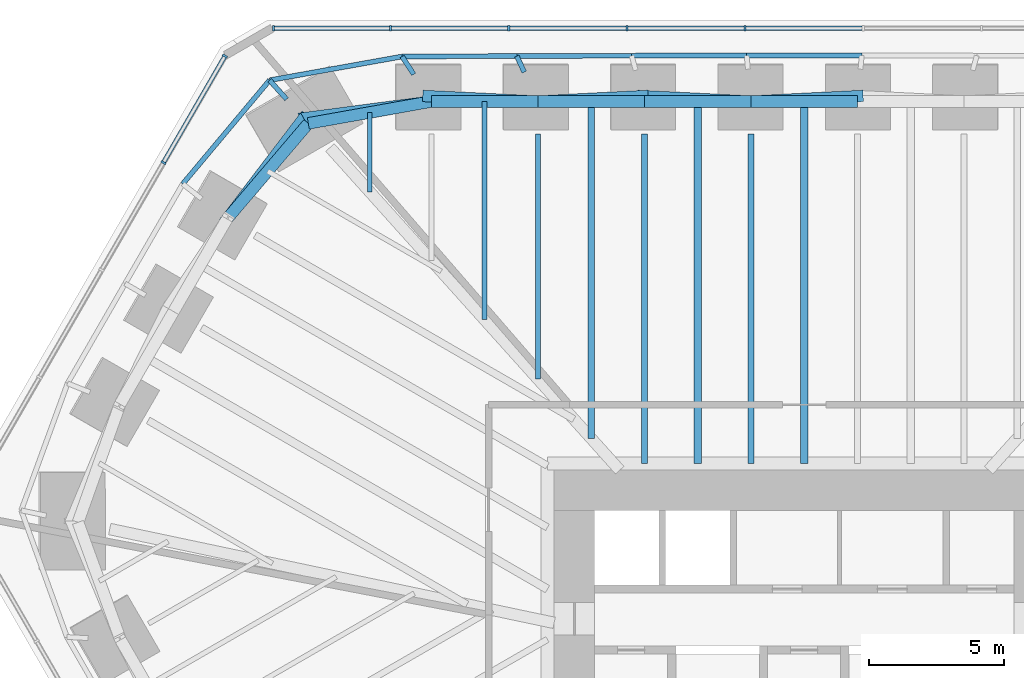
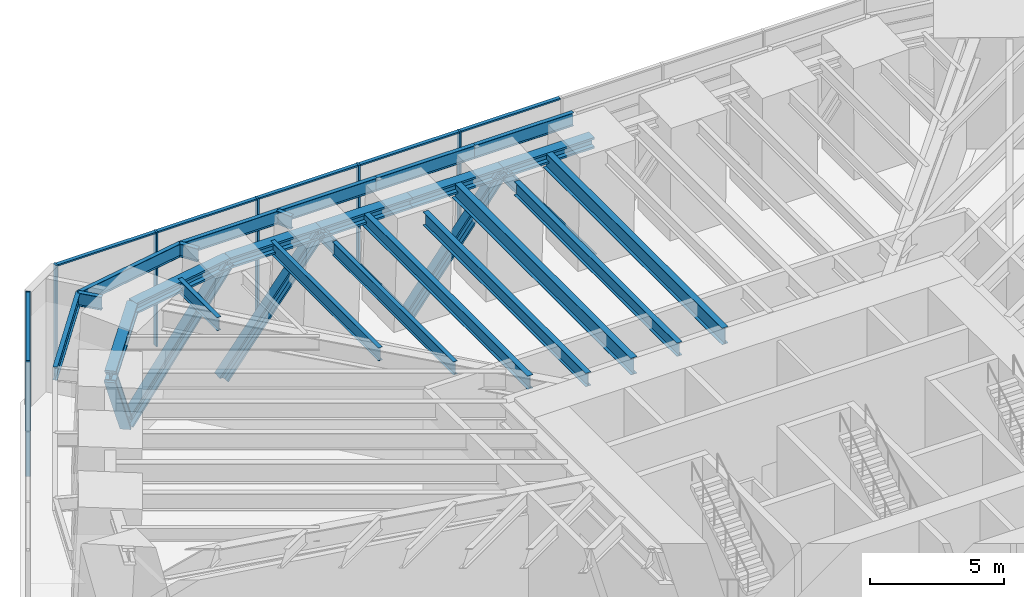
# One storey, part 7 of 13: 23 beams, 19 members, 2 elements without a shape of their own.
"""IFC4 building model written with IfcOpenShell, lengths in metres."""

from ifc_helpers import new_model, si_unit, direction, frame, origin, origin_2d, place, context, subcontext, project, spatial, rectangle, i_section, extrude, material, material_profile, profile_set, type_object, element, aggregate, save


model = new_model("IFC4")

# Units and contexts
model_context = context("Model", 3, precision=1e-05, world=origin(), true_north=direction((0.0, 1.0)))
body_context = subcontext(model_context, "Body", "Model", "MODEL_VIEW")
ifc_project = project(units=[si_unit("LENGTHUNIT", "METRE"), si_unit("AREAUNIT", "SQUARE_METRE"), si_unit("VOLUMEUNIT", "CUBIC_METRE"), si_unit("PLANEANGLEUNIT", "RADIAN"), si_unit("MASSUNIT", "GRAM", prefix="KILO")], contexts=[model_context])

# Site, building, storey
site_placement = place(None, origin())
site = spatial("IfcSite", under=ifc_project, at=site_placement, CompositionType="ELEMENT")
building_placement = place(site_placement, origin())
building = spatial("IfcBuilding", under=site, at=building_placement, Name="Sandreach Pilgrim Tower", CompositionType="ELEMENT")
storey_placement = place(building_placement, frame((0.0, 0.0, 91.39990234375)))
storey = spatial("IfcBuildingStorey", under=building, at=storey_placement, Name="L22", CompositionType="ELEMENT", Elevation=91.39990234375)

# Beams
ifc_material_1 = material(Name="Steel ASTM A913 Grade 65", Category="steel")
ifc_material_profile_1 = material_profile(ifc_material_1, i_section(OverallWidth=0.431884765625, OverallDepth=0.497802734375, WebThickness=0.0556640625, FlangeThickness=0.0888671875, at=origin_2d()), Name="W14X500")
ifc_profile_set_1 = profile_set([ifc_material_profile_1], Name="Steel ASTM A913 Grade 65")
beam_type_1 = type_object("IfcBeamType", Name="Belt truss chord W14X500", PredefinedType="BEAM", material=ifc_profile_set_1)
for number, where, z_axis, x_axis, name in (
    (1, (-13.789794921875, 21.23388671875, 4.9912109375), (1.0, 0.0, 0.0), (0.0, 1.0, 0.0), "BM L22 BTT01"),
    (2, (-9.849853515625, 21.23388671875, 4.9912109375), (1.0, 0.0, 0.0), (0.0, 1.0, 0.0), "BM L22 BTT02"),
    (3, (-5.909912109375, 21.23388671875, 4.9912109375), (1.0, 0.0, 0.0), (0.0, 1.0, 0.0), "BM L22 BTT03"),
    (4, (-1.969970703125, 21.23388671875, 4.9912109375), (1.0, 0.0, 0.0), (0.0, 1.0, 0.0), "BM L22 BTT04"),
):
    element("IfcBeam", number, at=place(storey_placement, frame(where, z_axis=z_axis, x_axis=x_axis)), inside=storey, type_object=beam_type_1, Name=name, PredefinedType="BEAM", context=body_context, shape_type="SweptSolid", body=[
        extrude(i_section(OverallWidth=0.431884765625, OverallDepth=0.497802734375, WebThickness=0.0556640625, FlangeThickness=0.0888671875, at=origin_2d()), origin(), (0.0, 0.0, 1.0), 3.93994140625),
    ])
beam_1_placement = place(storey_placement, frame((-21.346435546875, 16.891357421875, 4.9912109375), z_axis=(0.648208888384, 0.761462564425, 0.0), x_axis=(-0.761462564425, 0.648208888384, 0.0)))
element("IfcBeam", 5, at=beam_1_placement, inside=storey, type_object=beam_type_1, Name="BM L22 BTT38", PredefinedType="BEAM", context=body_context, shape_type="SweptSolid", body=[
    extrude(i_section(OverallWidth=0.431884765625, OverallDepth=0.497802734375, WebThickness=0.0556640625, FlangeThickness=0.0888671875, at=origin_2d()), origin(), (0.0, 0.0, 1.0), 4.63916015625),
])
beam_2_placement = place(storey_placement, frame((-18.33935546875, 20.423828125, 4.9912109375), z_axis=(0.984515938739, 0.175295083699, 0.0), x_axis=(-0.175295083699, 0.984515938739, 0.0)))
element("IfcBeam", 6, at=beam_2_placement, inside=storey, type_object=beam_type_1, Name="BM L22 BTT39", PredefinedType="BEAM", context=body_context, shape_type="SweptSolid", body=[
    extrude(i_section(OverallWidth=0.431884765625, OverallDepth=0.497802734375, WebThickness=0.0556640625, FlangeThickness=0.0888671875, at=origin_2d()), origin(), (0.0, 0.0, 1.0), 4.62109375),
])

# Members
ifc_material_2 = material(Name="Steel ASTM A913 Grade 65", Category="steel")
ifc_material_profile_2 = material_profile(ifc_material_2, i_section(OverallWidth=0.424072265625, OverallDepth=0.47509765625, WebThickness=0.0478515625, FlangeThickness=0.0771484375, at=origin_2d()), Name="W14X426")
ifc_profile_set_2 = profile_set([ifc_material_profile_2], Name="Steel ASTM A913 Grade 65")
member_type_1 = type_object("IfcMemberType", Name="Belt truss diagonal W14X426", PredefinedType="BRACE", material=ifc_profile_set_2)
member_1_placement = place(storey_placement, frame((-13.918701171875, 21.43212890625, -0.408935546875), z_axis=(0.601513654062, -0.029306917503, 0.798324763842), x_axis=(0.048664222861, 0.998815194825, 0.0)))
element("IfcMember", 7, at=member_1_placement, inside=storey, type_object=member_type_1, Name="Belt truss diagonal L22 bay 01", PredefinedType="BRACE", context=body_context, shape_type="SweptSolid", body=[
    extrude(i_section(OverallWidth=0.424072265625, OverallDepth=0.47509765625, WebThickness=0.0478515625, FlangeThickness=0.0771484375, at=origin_2d()), origin(), (0.0, 0.0, 1.0), 6.764404296875),
])
member_2_placement = place(storey_placement, frame((-9.849853515625, 21.23388671875, 4.9912109375), z_axis=(0.583714893497, 0.029787361332, -0.811412124765), x_axis=(-0.050964352945, 0.998700472979, 0.0)))
element("IfcMember", 8, at=member_2_placement, inside=storey, type_object=member_type_1, Name="Belt truss diagonal L22 bay 02", PredefinedType="BRACE", context=body_context, shape_type="SweptSolid", body=[
    extrude(i_section(OverallWidth=0.424072265625, OverallDepth=0.47509765625, WebThickness=0.0478515625, FlangeThickness=0.0771484375, at=origin_2d()), origin(), (0.0, 0.0, 1.0), 6.6552734375),
])
member_3_placement = place(storey_placement, frame((-5.965087890625, 21.43212890625, -0.408935546875), z_axis=(0.594488821574, -0.029499200875, 0.803562591322), x_axis=(0.049560142177, 0.998771141107, 0.0)))
element("IfcMember", 9, at=member_3_placement, inside=storey, type_object=member_type_1, Name="Belt truss diagonal L22 bay 03", PredefinedType="BRACE", context=body_context, shape_type="SweptSolid", body=[
    extrude(i_section(OverallWidth=0.424072265625, OverallDepth=0.47509765625, WebThickness=0.0478515625, FlangeThickness=0.0771484375, at=origin_2d()), origin(), (0.0, 0.0, 1.0), 6.72021484375),
])
member_4_placement = place(storey_placement, frame((-1.969970703125, 21.23388671875, 4.9912109375), z_axis=(0.5909244765, 0.029595428047, -0.806183833695), x_axis=(-0.050020571665, 0.998748187688, 0.0)))
element("IfcMember", 10, at=member_4_placement, inside=storey, type_object=member_type_1, Name="Belt truss diagonal L22 bay 04", PredefinedType="BRACE", context=body_context, shape_type="SweptSolid", body=[
    extrude(i_section(OverallWidth=0.424072265625, OverallDepth=0.47509765625, WebThickness=0.0478515625, FlangeThickness=0.0771484375, at=origin_2d()), origin(), (0.0, 0.0, 1.0), 6.698486328125),
])
member_5_placement = place(storey_placement, frame((-21.346435546875, 16.891357421875, 4.9912109375), z_axis=(0.39660330267, 0.521231509073, -0.755660991623), x_axis=(-0.79581831179, 0.605535477589, 0.0)))
element("IfcMember", 11, at=member_5_placement, inside=storey, type_object=member_type_1, Name="Belt truss diagonal L22 bay 38", PredefinedType="BRACE", context=body_context, shape_type="SweptSolid", body=[
    extrude(i_section(OverallWidth=0.424072265625, OverallDepth=0.47509765625, WebThickness=0.0478515625, FlangeThickness=0.0771484375, at=origin_2d()), origin(), (0.0, 0.0, 1.0), 7.146240234375),
])
member_6_placement = place(storey_placement, frame((-18.51220703125, 20.6162109375, -0.408935546875), z_axis=(0.655863486862, 0.08578476047, 0.749989374239), x_axis=(-0.129692004754, 0.991554327257, 0.0)))
element("IfcMember", 12, at=member_6_placement, inside=storey, type_object=member_type_1, Name="Belt truss diagonal L22 bay 39", PredefinedType="BRACE", context=body_context, shape_type="SweptSolid", body=[
    extrude(i_section(OverallWidth=0.424072265625, OverallDepth=0.47509765625, WebThickness=0.0478515625, FlangeThickness=0.0771484375, at=origin_2d()), origin(), (0.0, 0.0, 1.0), 7.2001953125),
])

# Curtain wall, members
ifc_material_3 = material(Name="Aluminium framed curtain wall", Category="aluminium")
curtain_wall_type = type_object("IfcCurtainWallType", Name="Plant storey louvred curtain wall", PredefinedType="NOTDEFINED", material=ifc_material_3)
curtain_wall_1_placement = place(storey_placement, origin())
curtain_wall_1 = element("IfcCurtainWall", 13, at=curtain_wall_1_placement, inside=storey, type_object=curtain_wall_type, Name="CW-L L22 N", PredefinedType="NOTDEFINED")
ifc_material_4 = material(Name="Aluminium extrusion", Category="aluminium")
ifc_material_profile_3 = material_profile(ifc_material_4, rectangle(XDim=0.080078125, YDim=0.199951171875, at=origin_2d()), Name="CW-LM 80X200")
ifc_profile_set_3 = profile_set([ifc_material_profile_3], Name="Aluminium extrusion")
member_type_2 = type_object("IfcMemberType", Name="CW-L mullion", PredefinedType="MULLION", material=ifc_profile_set_3)
member_7_placement = place(storey_placement, frame((-19.632080078125, 23.94873046875, 0.0), z_axis=(0.0, 0.0, 1.0), x_axis=(1.0, 0.0, 0.0)))
member_7 = element("IfcMember", 14, at=member_7_placement, type_object=member_type_2, Name="CW-L mullion 1", PredefinedType="MULLION", context=body_context, shape_type="SweptSolid", body=[
    extrude(rectangle(XDim=0.080078125, YDim=0.199951171875, at=origin_2d()), origin(), (0.0, 0.0, 1.0), 5.239990234375),
])
member_8_placement = place(storey_placement, frame((-15.300537109375, 23.94873046875, 0.0), z_axis=(0.0, 0.0, 1.0), x_axis=(1.0, 0.0, 0.0)))
member_8 = element("IfcMember", 15, at=member_8_placement, type_object=member_type_2, Name="CW-L mullion 2", PredefinedType="MULLION", context=body_context, shape_type="SweptSolid", body=[
    extrude(rectangle(XDim=0.080078125, YDim=0.199951171875, at=origin_2d()), origin(), (0.0, 0.0, 1.0), 5.239990234375),
])
member_9_placement = place(storey_placement, frame((-10.928955078125, 23.94873046875, 0.0), z_axis=(0.0, 0.0, 1.0), x_axis=(1.0, 0.0, 0.0)))
member_9 = element("IfcMember", 16, at=member_9_placement, type_object=member_type_2, Name="CW-L mullion 3", PredefinedType="MULLION", context=body_context, shape_type="SweptSolid", body=[
    extrude(rectangle(XDim=0.080078125, YDim=0.199951171875, at=origin_2d()), origin(), (0.0, 0.0, 1.0), 5.239990234375),
])
member_10_placement = place(storey_placement, frame((-6.557373046875, 23.94873046875, 0.0), z_axis=(0.0, 0.0, 1.0), x_axis=(1.0, 0.0, 0.0)))
member_10 = element("IfcMember", 17, at=member_10_placement, type_object=member_type_2, Name="CW-L mullion 4", PredefinedType="MULLION", context=body_context, shape_type="SweptSolid", body=[
    extrude(rectangle(XDim=0.080078125, YDim=0.199951171875, at=origin_2d()), origin(), (0.0, 0.0, 1.0), 5.239990234375),
])
member_11_placement = place(storey_placement, frame((-2.185791015625, 23.94873046875, 0.0), z_axis=(0.0, 0.0, 1.0), x_axis=(1.0, 0.0, 0.0)))
member_11 = element("IfcMember", 18, at=member_11_placement, type_object=member_type_2, Name="CW-L mullion 5", PredefinedType="MULLION", context=body_context, shape_type="SweptSolid", body=[
    extrude(rectangle(XDim=0.080078125, YDim=0.199951171875, at=origin_2d()), origin(), (0.0, 0.0, 1.0), 5.239990234375),
])

curtain_wall_2_placement = place(storey_placement, origin())
curtain_wall_2 = element("IfcCurtainWall", 19, at=curtain_wall_2_placement, inside=storey, type_object=curtain_wall_type, Name="CW-L L22 NW", PredefinedType="NOTDEFINED")
member_12_placement = place(storey_placement, frame((-23.697265625, 18.97705078125, 0.0), z_axis=(0.0, 0.0, 1.0), x_axis=(0.5, 0.866025403784, 0.0)))
member_12 = element("IfcMember", 20, at=member_12_placement, type_object=member_type_2, Name="CW-L mullion 4", PredefinedType="MULLION", context=body_context, shape_type="SweptSolid", body=[
    extrude(rectangle(XDim=0.080078125, YDim=0.199951171875, at=origin_2d()), origin(), (0.0, 0.0, 1.0), 5.239990234375),
])
member_13_placement = place(storey_placement, frame((-21.424072265625, 22.9140625, 0.0), z_axis=(0.0, 0.0, 1.0), x_axis=(0.5, 0.866025403784, 0.0)))
member_13 = element("IfcMember", 21, at=member_13_placement, type_object=member_type_2, Name="CW-L mullion 5", PredefinedType="MULLION", context=body_context, shape_type="SweptSolid", body=[
    extrude(rectangle(XDim=0.080078125, YDim=0.199951171875, at=origin_2d()), origin(), (0.0, 0.0, 1.0), 5.239990234375),
])

# Member
ifc_material_5 = material(Name="Aluminium extrusion", Category="aluminium")
ifc_material_profile_4 = material_profile(ifc_material_5, rectangle(XDim=0.159912109375, YDim=0.070068359375, at=origin_2d()), Name="CW-LT 160X70")
ifc_profile_set_4 = profile_set([ifc_material_profile_4], Name="Aluminium extrusion")
member_type_3 = type_object("IfcMemberType", Name="CW-L transom", PredefinedType="USERDEFINED", material=ifc_profile_set_4)
member_14_placement = place(storey_placement, frame((-19.592041015625, 23.94873046875, 5.205078125), z_axis=(1.0, 0.0, 0.0), x_axis=(0.0, 1.0, 0.0)))
member_14 = element("IfcMember", 22, at=member_14_placement, type_object=member_type_3, Name="CW-L head transom 1", ObjectType="TRANSOM", PredefinedType="USERDEFINED", context=body_context, shape_type="SweptSolid", body=[
    extrude(rectangle(XDim=0.159912109375, YDim=0.070068359375, at=origin_2d()), origin(), (0.0, 0.0, 1.0), 4.25146484375),
])

member_15_placement = place(storey_placement, frame((-15.260498046875, 23.94873046875, 5.205078125), z_axis=(1.0, 0.0, 0.0), x_axis=(0.0, 1.0, 0.0)))
member_15 = element("IfcMember", 23, at=member_15_placement, type_object=member_type_3, Name="CW-L head transom 2", ObjectType="TRANSOM", PredefinedType="USERDEFINED", context=body_context, shape_type="SweptSolid", body=[
    extrude(rectangle(XDim=0.159912109375, YDim=0.070068359375, at=origin_2d()), origin(), (0.0, 0.0, 1.0), 4.29150390625),
])

member_16_placement = place(storey_placement, frame((-10.888916015625, 23.94873046875, 5.205078125), z_axis=(1.0, 0.0, 0.0), x_axis=(0.0, 1.0, 0.0)))
member_16 = element("IfcMember", 24, at=member_16_placement, type_object=member_type_3, Name="CW-L head transom 3", ObjectType="TRANSOM", PredefinedType="USERDEFINED", context=body_context, shape_type="SweptSolid", body=[
    extrude(rectangle(XDim=0.159912109375, YDim=0.070068359375, at=origin_2d()), origin(), (0.0, 0.0, 1.0), 4.29150390625),
])

member_17_placement = place(storey_placement, frame((-6.517333984375, 23.94873046875, 5.205078125), z_axis=(1.0, 0.0, 0.0), x_axis=(0.0, 1.0, 0.0)))
member_17 = element("IfcMember", 25, at=member_17_placement, type_object=member_type_3, Name="CW-L head transom 4", ObjectType="TRANSOM", PredefinedType="USERDEFINED", context=body_context, shape_type="SweptSolid", body=[
    extrude(rectangle(XDim=0.159912109375, YDim=0.070068359375, at=origin_2d()), origin(), (0.0, 0.0, 1.0), 4.29150390625),
])

member_18_placement = place(storey_placement, frame((-2.145751953125, 23.94873046875, 5.205078125), z_axis=(1.0, 0.0, 0.0), x_axis=(0.0, 1.0, 0.0)))
member_18 = element("IfcMember", 26, at=member_18_placement, type_object=member_type_3, Name="CW-L head transom 5", ObjectType="TRANSOM", PredefinedType="USERDEFINED", context=body_context, shape_type="SweptSolid", body=[
    extrude(rectangle(XDim=0.159912109375, YDim=0.070068359375, at=origin_2d()), origin(), (0.0, 0.0, 1.0), 4.29150390625),
])

aggregate(curtain_wall_1, [member_7, member_8, member_9, member_10, member_11, member_14, member_15, member_16, member_17, member_18])

member_19_placement = place(storey_placement, frame((-23.67724609375, 19.01171875, 5.205078125), z_axis=(0.500025297701, 0.866010797658, 0.0), x_axis=(-0.866010797658, 0.500025297701, 0.0)))
member_19 = element("IfcMember", 27, at=member_19_placement, type_object=member_type_3, Name="CW-L head transom 4", ObjectType="TRANSOM", PredefinedType="USERDEFINED", context=body_context, shape_type="SweptSolid", body=[
    extrude(rectangle(XDim=0.159912109375, YDim=0.070068359375, at=origin_2d()), origin(), (0.0, 0.0, 1.0), 4.466064453125),
])

aggregate(curtain_wall_2, [member_12, member_13, member_19])

# Beams
ifc_material_6 = material(Name="Steel ASTM A992 Grade 50", Category="steel")
ifc_material_profile_5 = material_profile(ifc_material_6, i_section(OverallWidth=0.1787109375, OverallDepth=0.60205078125, WebThickness=0.010986328125, FlangeThickness=0.014892578125, at=origin_2d()), Name="W24X62")
ifc_profile_set_5 = profile_set([ifc_material_profile_5], Name="Steel ASTM A992 Grade 50")
beam_type_2 = type_object("IfcBeamType", Name="Floor beam W24X62", PredefinedType="BEAM", material=ifc_profile_set_5)
beam_3_placement = place(storey_placement, frame((-9.849853515625, 20.03369140625, 4.939208984375), z_axis=(0.0, -1.0, 0.0), x_axis=(1.0, 0.0, 0.0)))
element("IfcBeam", 28, at=beam_3_placement, inside=storey, type_object=beam_type_2, Name="BM L22 F02", PredefinedType="BEAM", context=body_context, shape_type="SweptSolid", body=[
    extrude(i_section(OverallWidth=0.1787109375, OverallDepth=0.60205078125, WebThickness=0.010986328125, FlangeThickness=0.014892578125, at=origin_2d()), origin(), (0.0, 0.0, 1.0), 9.064208984375),
])
beam_4_placement = place(storey_placement, frame((-11.81982421875, 21.23388671875, 4.939208984375), z_axis=(0.0, -1.0, 0.0), x_axis=(1.0, 0.0, 0.0)))
element("IfcBeam", 29, at=beam_4_placement, inside=storey, type_object=beam_type_2, Name="BM L22 FM01", PredefinedType="BEAM", context=body_context, shape_type="SweptSolid", body=[
    extrude(i_section(OverallWidth=0.1787109375, OverallDepth=0.60205078125, WebThickness=0.010986328125, FlangeThickness=0.014892578125, at=origin_2d()), origin(), (0.0, 0.0, 1.0), 8.070556640625),
])
beam_5_placement = place(storey_placement, frame((-16.064697265625, 20.828857421875, 4.939208984375), z_axis=(0.0, -1.0, 0.0), x_axis=(1.0, 0.0, 0.0)))
element("IfcBeam", 30, at=beam_5_placement, inside=storey, type_object=beam_type_2, Name="BM L22 FM39", PredefinedType="BEAM", context=body_context, shape_type="SweptSolid", body=[
    extrude(i_section(OverallWidth=0.1787109375, OverallDepth=0.60205078125, WebThickness=0.010986328125, FlangeThickness=0.014892578125, at=origin_2d()), origin(), (0.0, 0.0, 1.0), 2.938232421875),
])
ifc_material_7 = material(Name="Steel ASTM A992 Grade 50", Category="steel")
ifc_material_profile_6 = material_profile(ifc_material_7, i_section(OverallWidth=0.23046875, OverallDepth=0.6171875, WebThickness=0.01318359375, FlangeThickness=0.022216796875, at=origin_2d()), Name="W24X94")
ifc_profile_set_6 = profile_set([ifc_material_profile_6], Name="Steel ASTM A992 Grade 50")
beam_type_3 = type_object("IfcBeamType", Name="Floor beam W24X94", PredefinedType="BEAM", material=ifc_profile_set_6)
for number, where, z_axis, x_axis, name in (
    (31, (-5.909912109375, 20.03369140625, 4.931396484375), (0.0, -1.0, 0.0), (1.0, 0.0, 0.0), "BM L22 F03"),
    (32, (-1.969970703125, 20.03369140625, 4.931396484375), (0.0, -1.0, 0.0), (1.0, 0.0, 0.0), "BM L22 F04"),
):
    element("IfcBeam", number, at=place(storey_placement, frame(where, z_axis=z_axis, x_axis=x_axis)), inside=storey, type_object=beam_type_3, Name=name, PredefinedType="BEAM", context=body_context, shape_type="SweptSolid", body=[
        extrude(i_section(OverallWidth=0.23046875, OverallDepth=0.6171875, WebThickness=0.01318359375, FlangeThickness=0.022216796875, at=origin_2d()), origin(), (0.0, 0.0, 1.0), 12.1875),
    ])
beam_6_placement = place(storey_placement, frame((-7.8798828125, 21.23388671875, 4.931396484375), z_axis=(0.0, -1.0, 0.0), x_axis=(1.0, 0.0, 0.0)))
element("IfcBeam", 33, at=beam_6_placement, inside=storey, type_object=beam_type_3, Name="BM L22 FM02", PredefinedType="BEAM", context=body_context, shape_type="SweptSolid", body=[
    extrude(i_section(OverallWidth=0.23046875, OverallDepth=0.6171875, WebThickness=0.01318359375, FlangeThickness=0.022216796875, at=origin_2d()), origin(), (0.0, 0.0, 1.0), 12.458251953125),
])
ifc_material_8 = material(Name="Steel ASTM A992 Grade 50", Category="steel")
ifc_material_profile_7 = material_profile(ifc_material_8, i_section(OverallWidth=0.2666015625, OverallDepth=0.761962890625, WebThickness=0.014404296875, FlangeThickness=0.021484375, at=origin_2d()), Name="W30X116")
ifc_profile_set_7 = profile_set([ifc_material_profile_7], Name="Steel ASTM A992 Grade 50")
beam_type_4 = type_object("IfcBeamType", Name="Floor beam W30X116", PredefinedType="BEAM", material=ifc_profile_set_7)
for number, where, z_axis, x_axis, name in (
    (34, (-3.93994140625, 21.23388671875, 4.859130859375), (0.0, -1.0, 0.0), (1.0, 0.0, 0.0), "BM L22 FM03"),
    (35, (0.0, 21.23388671875, 4.859130859375), (0.0, -1.0, 0.0), (1.0, 0.0, 0.0), "BM L22 FM04"),
):
    element("IfcBeam", number, at=place(storey_placement, frame(where, z_axis=z_axis, x_axis=x_axis)), inside=storey, type_object=beam_type_4, Name=name, PredefinedType="BEAM", context=body_context, shape_type="SweptSolid", body=[
        extrude(i_section(OverallWidth=0.2666015625, OverallDepth=0.761962890625, WebThickness=0.014404296875, FlangeThickness=0.021484375, at=origin_2d()), origin(), (0.0, 0.0, 1.0), 13.3876953125),
    ])
ifc_material_9 = material(Name="Steel ASTM A992 Grade 50", Category="steel")
ifc_material_profile_8 = material_profile(ifc_material_9, i_section(OverallWidth=0.1787109375, OverallDepth=0.60205078125, WebThickness=0.010986328125, FlangeThickness=0.014892578125, at=origin_2d()), Name="W24X62")
ifc_profile_set_8 = profile_set([ifc_material_profile_8], Name="Steel ASTM A992 Grade 50")
beam_type_5 = type_object("IfcBeamType", Name="Setback roof edge beam W24X62", PredefinedType="BEAM", material=ifc_profile_set_8)
beam_7_placement = place(storey_placement, frame((-14.870849609375, 22.8984375, 4.899169921875), z_axis=(0.999991880839, 0.004029671962, 0.0), x_axis=(-0.004029671962, 0.999991880839, 0.0)))
element("IfcBeam", 36, at=beam_7_placement, inside=storey, type_object=beam_type_5, Name="BM L22 RE01", PredefinedType="BEAM", context=body_context, shape_type="SweptSolid", body=[
    extrude(i_section(OverallWidth=0.1787109375, OverallDepth=0.60205078125, WebThickness=0.010986328125, FlangeThickness=0.014892578125, at=origin_2d()), origin(), (0.0, 0.0, 1.0), 4.240966796875),
])
beam_8_placement = place(storey_placement, frame((-10.6298828125, 22.91552734375, 4.899169921875), z_axis=(0.999994634407, 0.003275844492, 0.0), x_axis=(-0.003275844492, 0.999994634407, 0.0)))
element("IfcBeam", 37, at=beam_8_placement, inside=storey, type_object=beam_type_5, Name="BM L22 RE02", PredefinedType="BEAM", context=body_context, shape_type="SweptSolid", body=[
    extrude(i_section(OverallWidth=0.1787109375, OverallDepth=0.60205078125, WebThickness=0.010986328125, FlangeThickness=0.014892578125, at=origin_2d()), origin(), (0.0, 0.0, 1.0), 4.248046875),
])
beam_9_placement = place(storey_placement, frame((-6.3818359375, 22.929443359375, 4.899169921875), z_axis=(0.99999809594, 0.001951439779, 0.0), x_axis=(-0.001951439779, 0.99999809594, 0.0)))
element("IfcBeam", 38, at=beam_9_placement, inside=storey, type_object=beam_type_5, Name="BM L22 RE03", PredefinedType="BEAM", context=body_context, shape_type="SweptSolid", body=[
    extrude(i_section(OverallWidth=0.1787109375, OverallDepth=0.60205078125, WebThickness=0.010986328125, FlangeThickness=0.014892578125, at=origin_2d()), origin(), (0.0, 0.0, 1.0), 4.253662109375),
])
beam_10_placement = place(storey_placement, frame((-2.128173828125, 22.937744140625, 4.899169921875), z_axis=(1.0, 0.0, 0.0), x_axis=(0.0, 1.0, 0.0)))
element("IfcBeam", 39, at=beam_10_placement, inside=storey, type_object=beam_type_5, Name="BM L22 RE04", PredefinedType="BEAM", context=body_context, shape_type="SweptSolid", body=[
    extrude(i_section(OverallWidth=0.1787109375, OverallDepth=0.60205078125, WebThickness=0.010986328125, FlangeThickness=0.014892578125, at=origin_2d()), origin(), (0.0, 0.0, 1.0), 4.25634765625),
])
beam_11_placement = place(storey_placement, frame((-22.98388671875, 18.187255859375, 4.899169921875), z_axis=(0.642055475608, 0.766658180836, 0.0), x_axis=(-0.766658180836, 0.642055475608, 0.0)))
element("IfcBeam", 40, at=beam_11_placement, inside=storey, type_object=beam_type_5, Name="BM L22 RE38", PredefinedType="BEAM", context=body_context, shape_type="SweptSolid", body=[
    extrude(i_section(OverallWidth=0.1787109375, OverallDepth=0.60205078125, WebThickness=0.010986328125, FlangeThickness=0.014892578125, at=origin_2d()), origin(), (0.0, 0.0, 1.0), 5.000244140625),
])
beam_12_placement = place(storey_placement, frame((-19.7734375, 22.020751953125, 4.899169921875), z_axis=(0.984350225556, 0.176223248886, 0.0), x_axis=(-0.176223248886, 0.984350225556, 0.0)))
element("IfcBeam", 41, at=beam_12_placement, inside=storey, type_object=beam_type_5, Name="BM L22 RE39", PredefinedType="BEAM", context=body_context, shape_type="SweptSolid", body=[
    extrude(i_section(OverallWidth=0.1787109375, OverallDepth=0.60205078125, WebThickness=0.010986328125, FlangeThickness=0.014892578125, at=origin_2d()), origin(), (0.0, 0.0, 1.0), 4.98046875),
])
ifc_material_10 = material(Name="Steel ASTM A992 Grade 50", Category="steel")
ifc_material_profile_9 = material_profile(ifc_material_10, i_section(OverallWidth=0.1787109375, OverallDepth=0.60205078125, WebThickness=0.010986328125, FlangeThickness=0.014892578125, at=origin_2d()), Name="W24X62")
ifc_profile_set_9 = profile_set([ifc_material_profile_9], Name="Steel ASTM A992 Grade 50")
beam_type_6 = type_object("IfcBeamType", Name="Setback roof outlooker W24X62", PredefinedType="BEAM", material=ifc_profile_set_9)
beam_13_placement = place(storey_placement, frame((-14.443359375, 22.240234375, 4.899169921875), z_axis=(-0.544682165318, 0.838642557223, 0.0), x_axis=(-0.838642557223, -0.544682165318, 0.0)))
element("IfcBeam", 42, at=beam_13_placement, inside=storey, type_object=beam_type_6, Name="BM L22 OL01", PredefinedType="BEAM", context=body_context, shape_type="SweptSolid", body=[
    extrude(i_section(OverallWidth=0.1787109375, OverallDepth=0.60205078125, WebThickness=0.010986328125, FlangeThickness=0.014892578125, at=origin_2d()), origin(), (0.0, 0.0, 1.0), 0.784912109375),
])
beam_14_placement = place(storey_placement, frame((-10.354736328125, 22.322265625, 4.899169921875), z_axis=(-0.420738336654, 0.907182039102, 0.0), x_axis=(-0.907182039102, -0.420738336654, 0.0)))
element("IfcBeam", 43, at=beam_14_placement, inside=storey, type_object=beam_type_6, Name="BM L22 OL02", PredefinedType="BEAM", context=body_context, shape_type="SweptSolid", body=[
    extrude(i_section(OverallWidth=0.1787109375, OverallDepth=0.60205078125, WebThickness=0.010986328125, FlangeThickness=0.014892578125, at=origin_2d()), origin(), (0.0, 0.0, 1.0), 0.654052734375),
])
beam_15_placement = place(storey_placement, frame((-19.14111328125, 21.316650390625, 4.899169921875), z_axis=(-0.66816617818, 0.744012068676, 0.0), x_axis=(-0.744012068676, -0.66816617818, 0.0)))
element("IfcBeam", 44, at=beam_15_placement, inside=storey, type_object=beam_type_6, Name="BM L22 OL39", PredefinedType="BEAM", context=body_context, shape_type="SweptSolid", body=[
    extrude(i_section(OverallWidth=0.1787109375, OverallDepth=0.60205078125, WebThickness=0.010986328125, FlangeThickness=0.014892578125, at=origin_2d()), origin(), (0.0, 0.0, 1.0), 0.9462890625),
])

save(model, "model.ifc")
